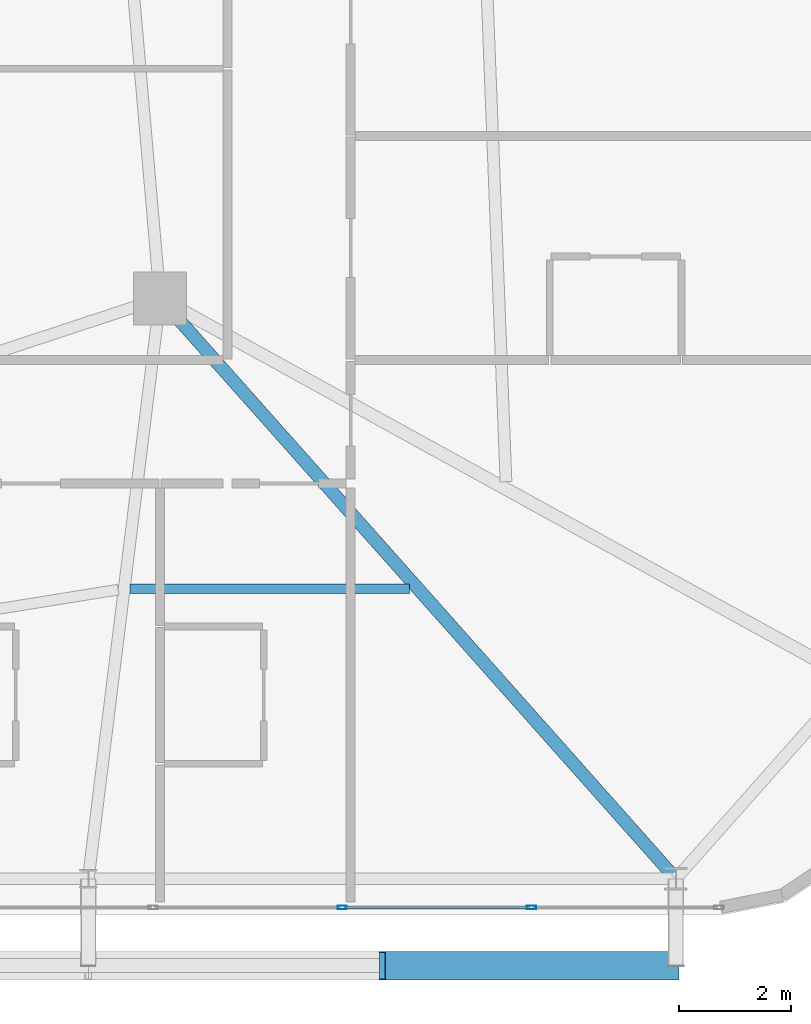
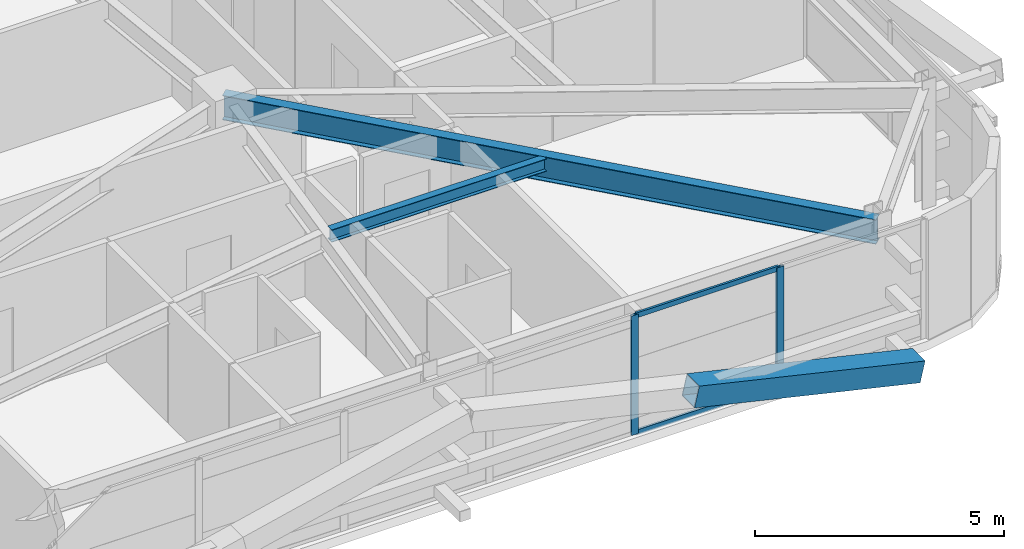
# One storey, part 23 of 59: 5 members, 2 beams, 1 element without a shape of its own.
"""IFC4 building model written with IfcOpenShell, lengths in metres."""

from ifc_helpers import new_model, si_unit, direction, frame, origin, origin_2d, place, context, subcontext, project, spatial, hollow_rectangle, i_section, extrude, source, transform, mapped, material, layer, layer_set, material_profile, profile_set, type_object, element, aggregate, save


model = new_model("IFC4")

# Units and contexts
model_context = context("Model", 3, precision=1e-05, world=origin(), true_north=direction((0.0, 1.0)))
body_context = subcontext(model_context, "Body", "Model", "MODEL_VIEW")
ifc_project = project(units=[si_unit("LENGTHUNIT", "METRE"), si_unit("AREAUNIT", "SQUARE_METRE"), si_unit("VOLUMEUNIT", "CUBIC_METRE"), si_unit("PLANEANGLEUNIT", "RADIAN"), si_unit("MASSUNIT", "GRAM", prefix="KILO")], contexts=[model_context])

# Site, building, storey
site_placement = place(None, origin())
site = spatial("IfcSite", under=ifc_project, at=site_placement, CompositionType="ELEMENT")
building_placement = place(site_placement, origin())
building = spatial("IfcBuilding", under=site, at=building_placement, Name="Taldren Reach Tower", CompositionType="ELEMENT")
storey_placement = place(building_placement, frame((0.0, 0.0, 19.949951171875)))
storey = spatial("IfcBuildingStorey", under=building, at=storey_placement, Name="L05", CompositionType="ELEMENT", Elevation=19.949951171875)

# Beams
ifc_material_1 = material(Name="Steel Gr 350 (350PLUS)", Category="steel")
ifc_material_profile_1 = material_profile(ifc_material_1, i_section(OverallWidth=0.22802734375, OverallDepth=0.60205078125, WebThickness=0.010498046875, FlangeThickness=0.014892578125, at=origin_2d()), Name="610UB101")
ifc_profile_set_1 = profile_set([ifc_material_profile_1], Name="Steel Gr 350 (350PLUS)")
beam_type_1 = type_object("IfcBeamType", Name="BM-UB610B", PredefinedType="BEAM", material=ifc_profile_set_1)
shared_shape_1 = source(origin(), body_context, "Body", "SweptSolid", [
    extrude(i_section(OverallWidth=0.22802734375, OverallDepth=0.60205078125, WebThickness=0.010498046875, FlangeThickness=0.014892578125, at=origin_2d()), origin(), (0.0, 0.0, 1.0), 13.847900390625),
])
beam_1_placement = place(storey_placement, frame((52.0, 12.5, 2.629150390625), z_axis=(0.664358367375, -0.747414182164, 0.0), x_axis=(0.747414182164, 0.664358367375, 0.0)))
element("IfcBeam", 1, at=beam_1_placement, inside=storey, type_object=beam_type_1, Name="Primary floor girder B1-S6 L05", PredefinedType="BEAM", context=body_context, shape_type="MappedRepresentation", body=[
    mapped(shared_shape_1, transform((0.0, 0.0, 0.0), scale=1.0)),
])
ifc_material_2 = material(Name="Steel Gr 300 (300PLUS, 300 MPa)", Category="steel")
ifc_material_profile_2 = material_profile(ifc_material_2, i_section(OverallWidth=0.166015625, OverallDepth=0.306884765625, WebThickness=0.006591796875, FlangeThickness=0.01171875, at=origin_2d()), Name="310UB46.2")
ifc_profile_set_2 = profile_set([ifc_material_profile_2], Name="Steel Gr 300 (300PLUS, 300 MPa)")
beam_type_2 = type_object("IfcBeamType", Name="JS-UB310", PredefinedType="JOIST", material=ifc_profile_set_2)
shared_shape_2 = source(origin(), body_context, "Body", "SweptSolid", [
    extrude(i_section(OverallWidth=0.166015625, OverallDepth=0.306884765625, WebThickness=0.006591796875, FlangeThickness=0.01171875, at=origin_2d()), origin(), (0.0, 0.0, 1.0), 4.982177734375),
])
beam_2_placement = place(storey_placement, frame((51.46533203125, 7.324951171875, 2.776611328125), z_axis=(1.0, 0.0, 0.0), x_axis=(0.0, 1.0, 0.0)))
element("IfcBeam", 2, at=beam_2_placement, inside=storey, type_object=beam_type_2, Name="Secondary floor joist B1 J5 L05", PredefinedType="JOIST", context=body_context, shape_type="MappedRepresentation", body=[
    mapped(shared_shape_2, transform((0.0, 0.0, 0.0), scale=1.0)),
])

# Member
ifc_material_3 = material(Name="Steel Gr 450 (C450L0)", Category="steel")
ifc_material_profile_3 = material_profile(ifc_material_3, hollow_rectangle(XDim=0.510009765625, YDim=0.510009765625, WallThickness=0.02001953125, at=origin_2d()), Name="510x510x20.0SHS")
ifc_profile_set_3 = profile_set([ifc_material_profile_3], Name="Steel Gr 450 (C450L0)")
member_type_1 = type_object("IfcMemberType", Name="MB-EXO508", PredefinedType="BRACE", material=ifc_profile_set_3)
shared_shape_3 = source(origin(), body_context, "Body", "SweptSolid", [
    extrude(hollow_rectangle(XDim=0.510009765625, YDim=0.510009765625, WallThickness=0.02001953125, at=origin_2d()), origin(), (0.0, 0.0, 1.0), 5.37890625),
])
member_1_placement = place(storey_placement, frame((61.199951171875, 0.60009765625, 0.219970703125), z_axis=(-0.97415197996, 0.0, 0.225893603143), x_axis=(0.0, -1.0, 0.0)))
element("IfcMember", 3, at=member_1_placement, inside=storey, type_object=member_type_1, Name="Exoskeleton Diagrid Brace B1-S5 L05", PredefinedType="BRACE", context=body_context, shape_type="MappedRepresentation", body=[
    mapped(shared_shape_3, transform((0.0, 0.0, 0.0), scale=1.0)),
])

# Curtain wall, members
ifc_material_4 = material(Name="Aluminium and Low-E Glass Unitised System", Category="aluminium")
ifc_layer = layer(ifc_material_4, 0.159912109375)
ifc_layer_set = layer_set([ifc_layer], Name="Aluminium and Low-E Glass Unitised System")
curtain_wall_type = type_object("IfcCurtainWallType", Name="CW-SYS-2", PredefinedType="NOTDEFINED", material=ifc_layer_set)
curtain_wall_placement = place(storey_placement, origin())
curtain_wall = element("IfcCurtainWall", 4, at=curtain_wall_placement, inside=storey, type_object=curtain_wall_type, Name="Unitised curtain wall CW-L05-S", PredefinedType="NOTDEFINED")
ifc_material_5 = material(Name="Anodised Aluminium 6063-T6", Category="aluminium")
ifc_material_profile_4 = material_profile(ifc_material_5, hollow_rectangle(XDim=0.06494140625, YDim=0.1650390625, WallThickness=0.00390625, at=origin_2d()), Name="ALU-165x65x4RHS")
ifc_profile_set_4 = profile_set([ifc_material_profile_4], Name="Anodised Aluminium 6063-T6")
member_type_2 = type_object("IfcMemberType", Name="CW-MUL-165", PredefinedType="MULLION", material=ifc_profile_set_4)
shared_shape_4 = source(origin(), body_context, "Body", "SweptSolid", [
    extrude(hollow_rectangle(XDim=0.06494140625, YDim=0.1650390625, WallThickness=0.00390625, at=origin_2d()), origin(), (0.0, 0.0, 1.0), 2.929931640625),
])
member_2_placement = place(storey_placement, frame((55.25, 1.639892578125, 0.0), z_axis=(0.0, 0.0, 1.0), x_axis=(0.0, 1.0, 0.0)))
member_2 = element("IfcMember", 5, at=member_2_placement, type_object=member_type_2, Name="CW-2 mullion 15", PredefinedType="MULLION", context=body_context, shape_type="MappedRepresentation", body=[
    mapped(shared_shape_4, transform((0.0, 0.0, 0.0), scale=1.0)),
])
member_3_placement = place(storey_placement, frame((58.625, 1.639892578125, 0.0), z_axis=(0.0, 0.0, 1.0), x_axis=(0.0, 1.0, 0.0)))
member_3 = element("IfcMember", 6, at=member_3_placement, type_object=member_type_2, Name="CW-2 mullion 16", PredefinedType="MULLION", context=body_context, shape_type="MappedRepresentation", body=[
    mapped(shared_shape_4, transform((0.0, 0.0, 0.0), scale=1.0)),
])
ifc_material_profile_5 = material_profile(ifc_material_5, hollow_rectangle(XDim=0.054931640625, YDim=0.1201171875, WallThickness=0.0029296875, at=origin_2d()), Name="ALU-120x55x3RHS")
ifc_profile_set_5 = profile_set([ifc_material_profile_5], Name="Anodised Aluminium 6063-T6")
member_type_3 = type_object("IfcMemberType", Name="CW-TRN-135", PredefinedType="USERDEFINED", material=ifc_profile_set_5)
shared_shape_5 = source(origin(), body_context, "Body", "SweptSolid", [
    extrude(hollow_rectangle(XDim=0.054931640625, YDim=0.1201171875, WallThickness=0.0029296875, at=origin_2d()), origin(), (0.0, 0.0, 1.0), 3.31005859375),
])
member_4_placement = place(storey_placement, frame((55.282470703125, 1.639892578125, 0.027587890625), z_axis=(1.0, 0.0, 0.0), x_axis=(0.0, 1.0, 0.0)))
member_4 = element("IfcMember", 7, at=member_4_placement, type_object=member_type_3, Name="CW-2 transom 15.1", ObjectType="TRANSOM", PredefinedType="USERDEFINED", context=body_context, shape_type="MappedRepresentation", body=[
    mapped(shared_shape_5, transform((0.0, 0.0, 0.0), scale=1.0)),
])
member_5_placement = place(storey_placement, frame((55.282470703125, 1.639892578125, 2.902587890625), z_axis=(1.0, 0.0, 0.0), x_axis=(0.0, 1.0, 0.0)))
member_5 = element("IfcMember", 8, at=member_5_placement, type_object=member_type_3, Name="CW-2 transom 15.2", ObjectType="TRANSOM", PredefinedType="USERDEFINED", context=body_context, shape_type="MappedRepresentation", body=[
    mapped(shared_shape_5, transform((0.0, 0.0, 0.0), scale=1.0)),
])
aggregate(curtain_wall, [member_2, member_3, member_4, member_5])

save(model, "model.ifc")
